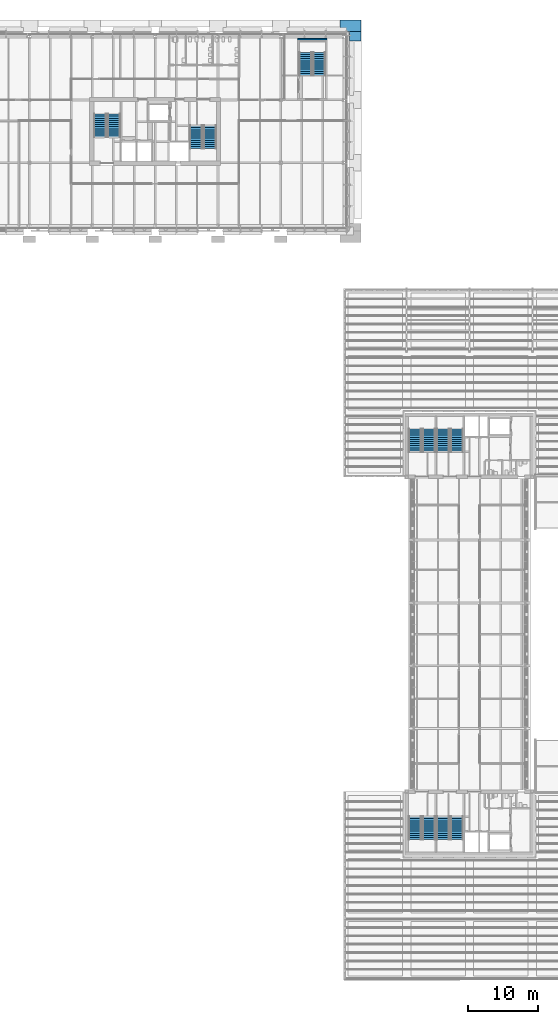
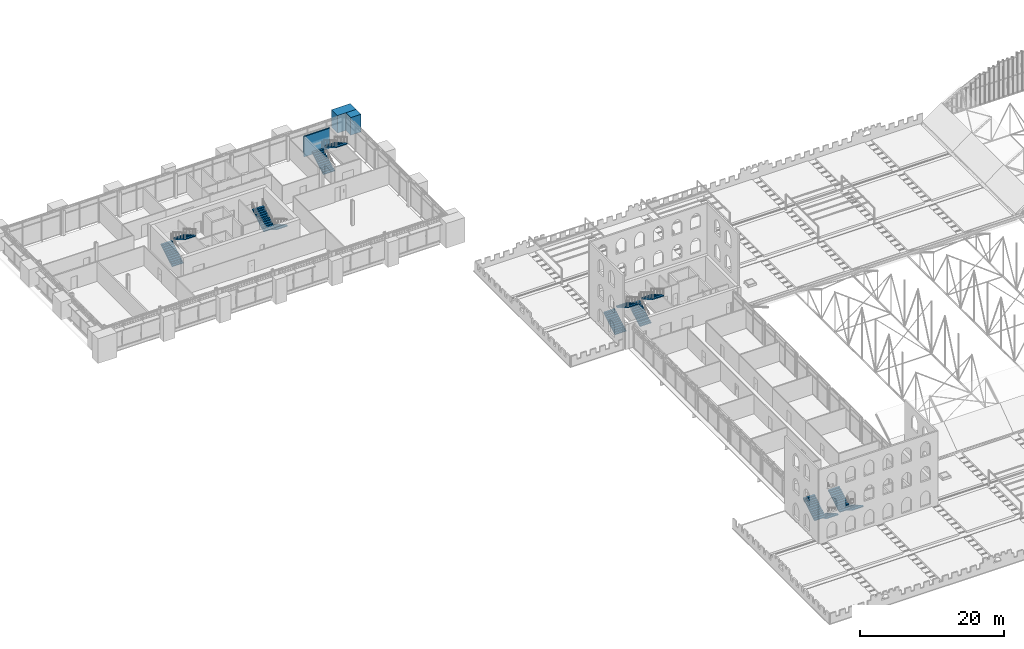
# One storey, part 114 of 153: 14 stair flights, 3 walls, 7 elements without a shape of their own.
"""IFC4 building model written with IfcOpenShell, lengths in metres."""

from ifc_helpers import new_model, si_unit, direction, frame, frame_2d, origin, place, context, subcontext, project, spatial, polyline, rectangle, outline, extrude, material, layer, layer_set, type_object, element, aggregate, save


model = new_model("IFC4")

# Units and contexts
model_context = context("Model", 3, precision=1e-05, world=origin(), true_north=direction((0.0, 1.0)))
body_context = subcontext(model_context, "Body", "Model", "MODEL_VIEW")
ifc_project = project(units=[si_unit("LENGTHUNIT", "METRE"), si_unit("AREAUNIT", "SQUARE_METRE"), si_unit("VOLUMEUNIT", "CUBIC_METRE"), si_unit("PLANEANGLEUNIT", "RADIAN"), si_unit("MASSUNIT", "GRAM", prefix="KILO")], contexts=[model_context])

# Site, building, storey
site_placement = place(None, origin())
site = spatial("IfcSite", under=ifc_project, at=site_placement, CompositionType="ELEMENT")
building_placement = place(site_placement, origin())
building = spatial("IfcBuilding", under=site, at=building_placement, Name="Baradari Gate Terminus", CompositionType="ELEMENT")
storey_placement = place(building_placement, frame((0.0, 0.0, 11.699951171875)))
storey = spatial("IfcBuildingStorey", under=building, at=storey_placement, Name="L02", CompositionType="ELEMENT", Elevation=11.699951171875)

# Walls
ifc_material_1 = material(Name="Concrete C40/50 precast", Category="concrete")
ifc_layer_1 = layer(ifc_material_1, 1.55)
ifc_material_2 = material(Name="Sandstone cladding", Category="masonry")
ifc_layer_2 = layer(ifc_material_2, 0.1)
ifc_layer_set_1 = layer_set([ifc_layer_1, ifc_layer_2], Name="Concrete C40/50 precast")
wall_type_1 = type_object("IfcWallType", Name="Sandstone-faced precast frame pier WQ-4 1650", PredefinedType="SOLIDWALL", material=ifc_layer_set_1)
wall_1_placement = place(storey_placement, frame((62.445068359375, 145.6201171875, 1.199951171875), z_axis=(0.0, 0.0, 1.0), x_axis=(1.0, 0.0, 0.0)))
element("IfcWall", 1, at=wall_1_placement, inside=storey, type_object=wall_type_1, Name="Corner pilaster NE leg A L02", PredefinedType="SOLIDWALL", context=body_context, shape_type="SweptSolid", body=[
    extrude(rectangle(XDim=3.0, YDim=1.64990234375, at=frame_2d((1.5, 0.0))), origin(), (0.0, 0.0, 1.0), 3.0),
])
wall_2_placement = place(storey_placement, frame((64.6201171875, 143.445068359375, 1.199951171875), z_axis=(0.0, 0.0, 1.0), x_axis=(0.0, 1.0, 0.0)))
element("IfcWall", 2, at=wall_2_placement, inside=storey, type_object=wall_type_1, Name="Corner pilaster NE leg B L02", PredefinedType="SOLIDWALL", context=body_context, shape_type="SweptSolid", body=[
    extrude(rectangle(XDim=1.349853515625, YDim=1.64990234375, at=frame_2d((0.6748046875, 0.0))), origin(), (0.0, 0.0, 1.0), 3.0),
])
ifc_material_3 = material(Name="Concrete C40/50", Category="concrete")
ifc_layer_3 = layer(ifc_material_3, 0.199951171875)
ifc_layer_set_2 = layer_set([ifc_layer_3], Name="Concrete C40/50")
wall_type_2 = type_object("IfcWallType", Name="Stair enclosure wall SE-2 200 EI 120", PredefinedType="SOLIDWALL", material=ifc_layer_set_2)
wall_3_placement = place(storey_placement, frame((56.39990234375, 143.699951171875, 0.0), z_axis=(0.0, 0.0, 1.0), x_axis=(1.0, 0.0, 0.0)))
element("IfcWall", 3, at=wall_3_placement, inside=storey, type_object=wall_type_2, Name="Stair enclosure wall SE-2 ST-T3 L02 N", PredefinedType="SOLIDWALL", context=body_context, shape_type="SweptSolid", body=[
    extrude(rectangle(XDim=4.2001953125, YDim=0.199951171875, at=frame_2d((2.10009765625, 0.0))), origin(), (0.0, 0.0, 1.0), 3.45703125),
])

# Stair, stair flights
ifc_material_4 = material(Name="Concrete C32/40", Category="concrete")
stair_type_1 = type_object("IfcStairType", Name="Exit stair ST-GN1 riser 175 x 1800", PredefinedType="HALF_TURN_STAIR", material=ifc_material_4)
stair_1_placement = place(storey_placement, origin())
stair_1 = element("IfcStair", 4, at=stair_1_placement, inside=storey, type_object=stair_type_1, Name="Stair ST-GN1 L02 to L03", PredefinedType="HALF_TURN_STAIR")
ifc_material_5 = material(Name="Concrete C32/40", Category="concrete")
stair_flight_type = type_object("IfcStairFlightType", Name="Stair flight 175/300 x 1800", PredefinedType="STRAIGHT", material=ifc_material_5)
stair_flight_1_placement = place(storey_placement, frame((73.199951171875, 84.60009765625, 0.0), z_axis=(0.0, 0.0, 1.0), x_axis=(0.0, 1.0, 0.0)))
stair_flight_1 = element("IfcStairFlight", 5, at=stair_flight_1_placement, type_object=stair_flight_type, Name="ST-GN1 flight 1", NumberOfRisers=12, NumberOfTreads=11, PredefinedType="STRAIGHT", RiserHeight=0.175, TreadLength=0.3, context=body_context, shape_type="SweptSolid", body=[
    extrude(outline(polyline([(0.0, 0.0), (0.0, 0.175048828125), (0.300048828125, 0.175048828125), (0.300048828125, 0.35009765625), (0.60009765625, 0.35009765625), (0.60009765625, 0.52490234375), (0.89990234375, 0.52490234375), (0.89990234375, 0.699951171875), (1.199951171875, 0.699951171875), (1.199951171875, 0.875), (1.5, 0.875), (1.5, 1.050048828125), (1.800048828125, 1.050048828125), (1.800048828125, 1.22509765625), (2.10009765625, 1.22509765625), (2.10009765625, 1.39990234375), (2.39990234375, 1.39990234375), (2.39990234375, 1.574951171875), (2.699951171875, 1.574951171875), (2.699951171875, 1.75), (3.0, 1.75), (3.0, 1.925048828125), (3.300048828125, 1.925048828125), (3.300048828125, 2.10009765625), (3.300048828125, 1.75146484375), (0.297607421875, 0.0), (0.0, 0.0)])), frame((0.0, 0.89990234375, 0.0), z_axis=(0.0, -1.0, 0.0), x_axis=(1.0, 0.0, 0.0)), (0.0, 0.0, 1.0), 1.800048828125),
])
stair_flight_2_placement = place(storey_placement, frame((75.199951171875, 87.89990234375, 2.10009765625), z_axis=(0.0, 0.0, 1.0), x_axis=(0.0, -1.0, 0.0)))
stair_flight_2 = element("IfcStairFlight", 6, at=stair_flight_2_placement, type_object=stair_flight_type, Name="ST-GN1 flight 2", NumberOfRisers=12, NumberOfTreads=11, PredefinedType="STRAIGHT", RiserHeight=0.175, TreadLength=0.3, context=body_context, shape_type="SweptSolid", body=[
    extrude(outline(polyline([(0.0, 0.0), (0.0, 0.175048828125), (0.300048828125, 0.175048828125), (0.300048828125, 0.35009765625), (0.60009765625, 0.35009765625), (0.60009765625, 0.52490234375), (0.89990234375, 0.52490234375), (0.89990234375, 0.699951171875), (1.199951171875, 0.699951171875), (1.199951171875, 0.875), (1.5, 0.875), (1.5, 1.050048828125), (1.800048828125, 1.050048828125), (1.800048828125, 1.22509765625), (2.10009765625, 1.22509765625), (2.10009765625, 1.39990234375), (2.39990234375, 1.39990234375), (2.39990234375, 1.574951171875), (2.699951171875, 1.574951171875), (2.699951171875, 1.75), (3.0, 1.75), (3.0, 1.925048828125), (3.300048828125, 1.925048828125), (3.300048828125, 2.10009765625), (3.300048828125, 1.75146484375), (0.297607421875, 0.0), (0.0, 0.0)])), frame((0.0, 0.89990234375, 0.0), z_axis=(0.0, -1.0, 0.0), x_axis=(1.0, 0.0, 0.0)), (0.0, 0.0, 1.0), 1.800048828125),
])
aggregate(stair_1, [stair_flight_1, stair_flight_2])

ifc_material_6 = material(Name="Concrete C32/40", Category="concrete")
stair_type_2 = type_object("IfcStairType", Name="Exit stair ST-GN2 riser 175 x 1800", PredefinedType="HALF_TURN_STAIR", material=ifc_material_6)
stair_2_placement = place(storey_placement, origin())
stair_2 = element("IfcStair", 7, at=stair_2_placement, inside=storey, type_object=stair_type_2, Name="Stair ST-GN2 L02 to L03", PredefinedType="HALF_TURN_STAIR")
stair_flight_3_placement = place(storey_placement, frame((77.199951171875, 84.60009765625, 0.0), z_axis=(0.0, 0.0, 1.0), x_axis=(0.0, 1.0, 0.0)))
stair_flight_3 = element("IfcStairFlight", 8, at=stair_flight_3_placement, type_object=stair_flight_type, Name="ST-GN2 flight 1", NumberOfRisers=12, NumberOfTreads=11, PredefinedType="STRAIGHT", RiserHeight=0.175, TreadLength=0.3, context=body_context, shape_type="SweptSolid", body=[
    extrude(outline(polyline([(0.0, 0.0), (0.0, 0.175048828125), (0.300048828125, 0.175048828125), (0.300048828125, 0.35009765625), (0.60009765625, 0.35009765625), (0.60009765625, 0.52490234375), (0.89990234375, 0.52490234375), (0.89990234375, 0.699951171875), (1.199951171875, 0.699951171875), (1.199951171875, 0.875), (1.5, 0.875), (1.5, 1.050048828125), (1.800048828125, 1.050048828125), (1.800048828125, 1.22509765625), (2.10009765625, 1.22509765625), (2.10009765625, 1.39990234375), (2.39990234375, 1.39990234375), (2.39990234375, 1.574951171875), (2.699951171875, 1.574951171875), (2.699951171875, 1.75), (3.0, 1.75), (3.0, 1.925048828125), (3.300048828125, 1.925048828125), (3.300048828125, 2.10009765625), (3.300048828125, 1.75146484375), (0.297607421875, 0.0), (0.0, 0.0)])), frame((0.0, 0.89990234375, 0.0), z_axis=(0.0, -1.0, 0.0), x_axis=(1.0, 0.0, 0.0)), (0.0, 0.0, 1.0), 1.800048828125),
])
stair_flight_4_placement = place(storey_placement, frame((79.199951171875, 87.89990234375, 2.10009765625), z_axis=(0.0, 0.0, 1.0), x_axis=(0.0, -1.0, 0.0)))
stair_flight_4 = element("IfcStairFlight", 9, at=stair_flight_4_placement, type_object=stair_flight_type, Name="ST-GN2 flight 2", NumberOfRisers=12, NumberOfTreads=11, PredefinedType="STRAIGHT", RiserHeight=0.175, TreadLength=0.3, context=body_context, shape_type="SweptSolid", body=[
    extrude(outline(polyline([(0.0, 0.0), (0.0, 0.175048828125), (0.300048828125, 0.175048828125), (0.300048828125, 0.35009765625), (0.60009765625, 0.35009765625), (0.60009765625, 0.52490234375), (0.89990234375, 0.52490234375), (0.89990234375, 0.699951171875), (1.199951171875, 0.699951171875), (1.199951171875, 0.875), (1.5, 0.875), (1.5, 1.050048828125), (1.800048828125, 1.050048828125), (1.800048828125, 1.22509765625), (2.10009765625, 1.22509765625), (2.10009765625, 1.39990234375), (2.39990234375, 1.39990234375), (2.39990234375, 1.574951171875), (2.699951171875, 1.574951171875), (2.699951171875, 1.75), (3.0, 1.75), (3.0, 1.925048828125), (3.300048828125, 1.925048828125), (3.300048828125, 2.10009765625), (3.300048828125, 1.75146484375), (0.297607421875, 0.0), (0.0, 0.0)])), frame((0.0, 0.89990234375, 0.0), z_axis=(0.0, -1.0, 0.0), x_axis=(1.0, 0.0, 0.0)), (0.0, 0.0, 1.0), 1.800048828125),
])
aggregate(stair_2, [stair_flight_3, stair_flight_4])

ifc_material_7 = material(Name="Concrete C32/40", Category="concrete")
stair_type_3 = type_object("IfcStairType", Name="Exit stair ST-GS1 riser 175 x 1800", PredefinedType="HALF_TURN_STAIR", material=ifc_material_7)
stair_3_placement = place(storey_placement, origin())
stair_3 = element("IfcStair", 10, at=stair_3_placement, inside=storey, type_object=stair_type_3, Name="Stair ST-GS1 L02 to L03", PredefinedType="HALF_TURN_STAIR")
stair_flight_5_placement = place(storey_placement, frame((75.199951171875, 32.39990234375, 0.0), z_axis=(0.0, 0.0, 1.0), x_axis=(0.0, -1.0, 0.0)))
stair_flight_5 = element("IfcStairFlight", 11, at=stair_flight_5_placement, type_object=stair_flight_type, Name="ST-GS1 flight 1", NumberOfRisers=12, NumberOfTreads=11, PredefinedType="STRAIGHT", RiserHeight=0.175, TreadLength=0.3, context=body_context, shape_type="SweptSolid", body=[
    extrude(outline(polyline([(0.0, 0.0), (0.0, 0.175048828125), (0.300048828125, 0.175048828125), (0.300048828125, 0.35009765625), (0.60009765625, 0.35009765625), (0.60009765625, 0.52490234375), (0.89990234375, 0.52490234375), (0.89990234375, 0.699951171875), (1.199951171875, 0.699951171875), (1.199951171875, 0.875), (1.5, 0.875), (1.5, 1.050048828125), (1.800048828125, 1.050048828125), (1.800048828125, 1.22509765625), (2.10009765625, 1.22509765625), (2.10009765625, 1.39990234375), (2.39990234375, 1.39990234375), (2.39990234375, 1.574951171875), (2.699951171875, 1.574951171875), (2.699951171875, 1.75), (3.0, 1.75), (3.0, 1.925048828125), (3.300048828125, 1.925048828125), (3.300048828125, 2.10009765625), (3.300048828125, 1.75146484375), (0.297607421875, 0.0), (0.0, 0.0)])), frame((0.0, 0.89990234375, 0.0), z_axis=(0.0, -1.0, 0.0), x_axis=(1.0, 0.0, 0.0)), (0.0, 0.0, 1.0), 1.800048828125),
])
stair_flight_6_placement = place(storey_placement, frame((73.199951171875, 29.10009765625, 2.10009765625), z_axis=(0.0, 0.0, 1.0), x_axis=(0.0, 1.0, 0.0)))
stair_flight_6 = element("IfcStairFlight", 12, at=stair_flight_6_placement, type_object=stair_flight_type, Name="ST-GS1 flight 2", NumberOfRisers=12, NumberOfTreads=11, PredefinedType="STRAIGHT", RiserHeight=0.175, TreadLength=0.3, context=body_context, shape_type="SweptSolid", body=[
    extrude(outline(polyline([(0.0, 0.0), (0.0, 0.175048828125), (0.300048828125, 0.175048828125), (0.300048828125, 0.35009765625), (0.60009765625, 0.35009765625), (0.60009765625, 0.52490234375), (0.89990234375, 0.52490234375), (0.89990234375, 0.699951171875), (1.199951171875, 0.699951171875), (1.199951171875, 0.875), (1.5, 0.875), (1.5, 1.050048828125), (1.800048828125, 1.050048828125), (1.800048828125, 1.22509765625), (2.10009765625, 1.22509765625), (2.10009765625, 1.39990234375), (2.39990234375, 1.39990234375), (2.39990234375, 1.574951171875), (2.699951171875, 1.574951171875), (2.699951171875, 1.75), (3.0, 1.75), (3.0, 1.925048828125), (3.300048828125, 1.925048828125), (3.300048828125, 2.10009765625), (3.300048828125, 1.75146484375), (0.297607421875, 0.0), (0.0, 0.0)])), frame((0.0, 0.89990234375, 0.0), z_axis=(0.0, -1.0, 0.0), x_axis=(1.0, 0.0, 0.0)), (0.0, 0.0, 1.0), 1.800048828125),
])
aggregate(stair_3, [stair_flight_5, stair_flight_6])

ifc_material_8 = material(Name="Concrete C32/40", Category="concrete")
stair_type_4 = type_object("IfcStairType", Name="Exit stair ST-GS2 riser 175 x 1800", PredefinedType="HALF_TURN_STAIR", material=ifc_material_8)
stair_4_placement = place(storey_placement, origin())
stair_4 = element("IfcStair", 13, at=stair_4_placement, inside=storey, type_object=stair_type_4, Name="Stair ST-GS2 L02 to L03", PredefinedType="HALF_TURN_STAIR")
stair_flight_7_placement = place(storey_placement, frame((79.199951171875, 32.39990234375, 0.0), z_axis=(0.0, 0.0, 1.0), x_axis=(0.0, -1.0, 0.0)))
stair_flight_7 = element("IfcStairFlight", 14, at=stair_flight_7_placement, type_object=stair_flight_type, Name="ST-GS2 flight 1", NumberOfRisers=12, NumberOfTreads=11, PredefinedType="STRAIGHT", RiserHeight=0.175, TreadLength=0.3, context=body_context, shape_type="SweptSolid", body=[
    extrude(outline(polyline([(0.0, 0.0), (0.0, 0.175048828125), (0.300048828125, 0.175048828125), (0.300048828125, 0.35009765625), (0.60009765625, 0.35009765625), (0.60009765625, 0.52490234375), (0.89990234375, 0.52490234375), (0.89990234375, 0.699951171875), (1.199951171875, 0.699951171875), (1.199951171875, 0.875), (1.5, 0.875), (1.5, 1.050048828125), (1.800048828125, 1.050048828125), (1.800048828125, 1.22509765625), (2.10009765625, 1.22509765625), (2.10009765625, 1.39990234375), (2.39990234375, 1.39990234375), (2.39990234375, 1.574951171875), (2.699951171875, 1.574951171875), (2.699951171875, 1.75), (3.0, 1.75), (3.0, 1.925048828125), (3.300048828125, 1.925048828125), (3.300048828125, 2.10009765625), (3.300048828125, 1.75146484375), (0.297607421875, 0.0), (0.0, 0.0)])), frame((0.0, 0.89990234375, 0.0), z_axis=(0.0, -1.0, 0.0), x_axis=(1.0, 0.0, 0.0)), (0.0, 0.0, 1.0), 1.800048828125),
])
stair_flight_8_placement = place(storey_placement, frame((77.199951171875, 29.10009765625, 2.10009765625), z_axis=(0.0, 0.0, 1.0), x_axis=(0.0, 1.0, 0.0)))
stair_flight_8 = element("IfcStairFlight", 15, at=stair_flight_8_placement, type_object=stair_flight_type, Name="ST-GS2 flight 2", NumberOfRisers=12, NumberOfTreads=11, PredefinedType="STRAIGHT", RiserHeight=0.175, TreadLength=0.3, context=body_context, shape_type="SweptSolid", body=[
    extrude(outline(polyline([(0.0, 0.0), (0.0, 0.175048828125), (0.300048828125, 0.175048828125), (0.300048828125, 0.35009765625), (0.60009765625, 0.35009765625), (0.60009765625, 0.52490234375), (0.89990234375, 0.52490234375), (0.89990234375, 0.699951171875), (1.199951171875, 0.699951171875), (1.199951171875, 0.875), (1.5, 0.875), (1.5, 1.050048828125), (1.800048828125, 1.050048828125), (1.800048828125, 1.22509765625), (2.10009765625, 1.22509765625), (2.10009765625, 1.39990234375), (2.39990234375, 1.39990234375), (2.39990234375, 1.574951171875), (2.699951171875, 1.574951171875), (2.699951171875, 1.75), (3.0, 1.75), (3.0, 1.925048828125), (3.300048828125, 1.925048828125), (3.300048828125, 2.10009765625), (3.300048828125, 1.75146484375), (0.297607421875, 0.0), (0.0, 0.0)])), frame((0.0, 0.89990234375, 0.0), z_axis=(0.0, -1.0, 0.0), x_axis=(1.0, 0.0, 0.0)), (0.0, 0.0, 1.0), 1.800048828125),
])
aggregate(stair_4, [stair_flight_7, stair_flight_8])

ifc_material_9 = material(Name="Concrete C32/40", Category="concrete")
stair_type_5 = type_object("IfcStairType", Name="Exit stair ST-T1 riser 175 x 1800", PredefinedType="HALF_TURN_STAIR", material=ifc_material_9)
stair_5_placement = place(storey_placement, origin())
stair_5 = element("IfcStair", 16, at=stair_5_placement, inside=storey, type_object=stair_type_5, Name="Stair ST-T1 L02 to L03", PredefinedType="HALF_TURN_STAIR")
stair_flight_9_placement = place(storey_placement, frame((28.125, 129.675048828125, 0.0), z_axis=(0.0, 0.0, 1.0), x_axis=(0.0, 1.0, 0.0)))
stair_flight_9 = element("IfcStairFlight", 17, at=stair_flight_9_placement, type_object=stair_flight_type, Name="ST-T1 flight 1", NumberOfRisers=12, NumberOfTreads=11, PredefinedType="STRAIGHT", RiserHeight=0.175, TreadLength=0.3, context=body_context, shape_type="SweptSolid", body=[
    extrude(outline(polyline([(0.0, 0.0), (0.0, 0.175048828125), (0.300048828125, 0.175048828125), (0.300048828125, 0.35009765625), (0.60009765625, 0.35009765625), (0.60009765625, 0.52490234375), (0.89990234375, 0.52490234375), (0.89990234375, 0.699951171875), (1.199951171875, 0.699951171875), (1.199951171875, 0.875), (1.5, 0.875), (1.5, 1.050048828125), (1.800048828125, 1.050048828125), (1.800048828125, 1.22509765625), (2.10009765625, 1.22509765625), (2.10009765625, 1.39990234375), (2.39990234375, 1.39990234375), (2.39990234375, 1.574951171875), (2.699951171875, 1.574951171875), (2.699951171875, 1.75), (3.0, 1.75), (3.0, 1.925048828125), (3.300048828125, 1.925048828125), (3.300048828125, 2.10009765625), (3.300048828125, 1.75146484375), (0.297607421875, 0.0), (0.0, 0.0)])), frame((0.0, 0.89990234375, 0.0), z_axis=(0.0, -1.0, 0.0), x_axis=(1.0, 0.0, 0.0)), (0.0, 0.0, 1.0), 1.800048828125),
])
stair_flight_10_placement = place(storey_placement, frame((30.125, 132.97509765625, 2.10009765625), z_axis=(0.0, 0.0, 1.0), x_axis=(0.0, -1.0, 0.0)))
stair_flight_10 = element("IfcStairFlight", 18, at=stair_flight_10_placement, type_object=stair_flight_type, Name="ST-T1 flight 2", NumberOfRisers=12, NumberOfTreads=11, PredefinedType="STRAIGHT", RiserHeight=0.175, TreadLength=0.3, context=body_context, shape_type="SweptSolid", body=[
    extrude(outline(polyline([(0.0, 0.0), (0.0, 0.175048828125), (0.300048828125, 0.175048828125), (0.300048828125, 0.35009765625), (0.60009765625, 0.35009765625), (0.60009765625, 0.52490234375), (0.89990234375, 0.52490234375), (0.89990234375, 0.699951171875), (1.199951171875, 0.699951171875), (1.199951171875, 0.875), (1.5, 0.875), (1.5, 1.050048828125), (1.800048828125, 1.050048828125), (1.800048828125, 1.22509765625), (2.10009765625, 1.22509765625), (2.10009765625, 1.39990234375), (2.39990234375, 1.39990234375), (2.39990234375, 1.574951171875), (2.699951171875, 1.574951171875), (2.699951171875, 1.75), (3.0, 1.75), (3.0, 1.925048828125), (3.300048828125, 1.925048828125), (3.300048828125, 2.10009765625), (3.300048828125, 1.75146484375), (0.297607421875, 0.0), (0.0, 0.0)])), frame((0.0, 0.89990234375, 0.0), z_axis=(0.0, -1.0, 0.0), x_axis=(1.0, 0.0, 0.0)), (0.0, 0.0, 1.0), 1.800048828125),
])
aggregate(stair_5, [stair_flight_9, stair_flight_10])

ifc_material_10 = material(Name="Concrete C32/40", Category="concrete")
stair_type_6 = type_object("IfcStairType", Name="Exit stair ST-T2 riser 175 x 1800", PredefinedType="HALF_TURN_STAIR", material=ifc_material_10)
stair_6_placement = place(storey_placement, origin())
stair_6 = element("IfcStair", 19, at=stair_6_placement, inside=storey, type_object=stair_type_6, Name="Stair ST-T2 L02 to L03", PredefinedType="HALF_TURN_STAIR")
stair_flight_11_placement = place(storey_placement, frame((43.875, 131.324951171875, 0.0), z_axis=(0.0, 0.0, 1.0), x_axis=(0.0, -1.0, 0.0)))
stair_flight_11 = element("IfcStairFlight", 20, at=stair_flight_11_placement, type_object=stair_flight_type, Name="ST-T2 flight 1", NumberOfRisers=12, NumberOfTreads=11, PredefinedType="STRAIGHT", RiserHeight=0.175, TreadLength=0.3, context=body_context, shape_type="SweptSolid", body=[
    extrude(outline(polyline([(0.0, 0.0), (0.0, 0.175048828125), (0.300048828125, 0.175048828125), (0.300048828125, 0.35009765625), (0.60009765625, 0.35009765625), (0.60009765625, 0.52490234375), (0.89990234375, 0.52490234375), (0.89990234375, 0.699951171875), (1.199951171875, 0.699951171875), (1.199951171875, 0.875), (1.5, 0.875), (1.5, 1.050048828125), (1.800048828125, 1.050048828125), (1.800048828125, 1.22509765625), (2.10009765625, 1.22509765625), (2.10009765625, 1.39990234375), (2.39990234375, 1.39990234375), (2.39990234375, 1.574951171875), (2.699951171875, 1.574951171875), (2.699951171875, 1.75), (3.0, 1.75), (3.0, 1.925048828125), (3.300048828125, 1.925048828125), (3.300048828125, 2.10009765625), (3.300048828125, 1.75146484375), (0.297607421875, 0.0), (0.0, 0.0)])), frame((0.0, 0.89990234375, 0.0), z_axis=(0.0, -1.0, 0.0), x_axis=(1.0, 0.0, 0.0)), (0.0, 0.0, 1.0), 1.800048828125),
])
stair_flight_12_placement = place(storey_placement, frame((41.875, 128.02490234375, 2.10009765625), z_axis=(0.0, 0.0, 1.0), x_axis=(0.0, 1.0, 0.0)))
stair_flight_12 = element("IfcStairFlight", 21, at=stair_flight_12_placement, type_object=stair_flight_type, Name="ST-T2 flight 2", NumberOfRisers=12, NumberOfTreads=11, PredefinedType="STRAIGHT", RiserHeight=0.175, TreadLength=0.3, context=body_context, shape_type="SweptSolid", body=[
    extrude(outline(polyline([(0.0, 0.0), (0.0, 0.175048828125), (0.300048828125, 0.175048828125), (0.300048828125, 0.35009765625), (0.60009765625, 0.35009765625), (0.60009765625, 0.52490234375), (0.89990234375, 0.52490234375), (0.89990234375, 0.699951171875), (1.199951171875, 0.699951171875), (1.199951171875, 0.875), (1.5, 0.875), (1.5, 1.050048828125), (1.800048828125, 1.050048828125), (1.800048828125, 1.22509765625), (2.10009765625, 1.22509765625), (2.10009765625, 1.39990234375), (2.39990234375, 1.39990234375), (2.39990234375, 1.574951171875), (2.699951171875, 1.574951171875), (2.699951171875, 1.75), (3.0, 1.75), (3.0, 1.925048828125), (3.300048828125, 1.925048828125), (3.300048828125, 2.10009765625), (3.300048828125, 1.75146484375), (0.297607421875, 0.0), (0.0, 0.0)])), frame((0.0, 0.89990234375, 0.0), z_axis=(0.0, -1.0, 0.0), x_axis=(1.0, 0.0, 0.0)), (0.0, 0.0, 1.0), 1.800048828125),
])
aggregate(stair_6, [stair_flight_11, stair_flight_12])

ifc_material_11 = material(Name="Concrete C32/40", Category="concrete")
stair_type_7 = type_object("IfcStairType", Name="Exit stair ST-T3 riser 175 x 1800", PredefinedType="HALF_TURN_STAIR", material=ifc_material_11)
stair_7_placement = place(storey_placement, origin())
stair_7 = element("IfcStair", 22, at=stair_7_placement, inside=storey, type_object=stair_type_7, Name="Stair ST-T3 L02 to L03", PredefinedType="HALF_TURN_STAIR")
stair_flight_13_placement = place(storey_placement, frame((57.5, 138.5, 0.0), z_axis=(0.0, 0.0, 1.0), x_axis=(0.0, 1.0, 0.0)))
stair_flight_13 = element("IfcStairFlight", 23, at=stair_flight_13_placement, type_object=stair_flight_type, Name="ST-T3 flight 1", NumberOfRisers=12, NumberOfTreads=11, PredefinedType="STRAIGHT", RiserHeight=0.175, TreadLength=0.3, context=body_context, shape_type="SweptSolid", body=[
    extrude(outline(polyline([(0.0, 0.0), (0.0, 0.175048828125), (0.300048828125, 0.175048828125), (0.300048828125, 0.35009765625), (0.60009765625, 0.35009765625), (0.60009765625, 0.52490234375), (0.89990234375, 0.52490234375), (0.89990234375, 0.699951171875), (1.199951171875, 0.699951171875), (1.199951171875, 0.875), (1.5, 0.875), (1.5, 1.050048828125), (1.800048828125, 1.050048828125), (1.800048828125, 1.22509765625), (2.10009765625, 1.22509765625), (2.10009765625, 1.39990234375), (2.39990234375, 1.39990234375), (2.39990234375, 1.574951171875), (2.699951171875, 1.574951171875), (2.699951171875, 1.75), (3.0, 1.75), (3.0, 1.925048828125), (3.300048828125, 1.925048828125), (3.300048828125, 2.10009765625), (3.300048828125, 1.75146484375), (0.297607421875, 0.0), (0.0, 0.0)])), frame((0.0, 0.89990234375, 0.0), z_axis=(0.0, -1.0, 0.0), x_axis=(1.0, 0.0, 0.0)), (0.0, 0.0, 1.0), 1.800048828125),
])
stair_flight_14_placement = place(storey_placement, frame((59.5, 141.800048828125, 2.10009765625), z_axis=(0.0, 0.0, 1.0), x_axis=(0.0, -1.0, 0.0)))
stair_flight_14 = element("IfcStairFlight", 24, at=stair_flight_14_placement, type_object=stair_flight_type, Name="ST-T3 flight 2", NumberOfRisers=12, NumberOfTreads=11, PredefinedType="STRAIGHT", RiserHeight=0.175, TreadLength=0.3, context=body_context, shape_type="SweptSolid", body=[
    extrude(outline(polyline([(0.0, 0.0), (0.0, 0.175048828125), (0.300048828125, 0.175048828125), (0.300048828125, 0.35009765625), (0.60009765625, 0.35009765625), (0.60009765625, 0.52490234375), (0.89990234375, 0.52490234375), (0.89990234375, 0.699951171875), (1.199951171875, 0.699951171875), (1.199951171875, 0.875), (1.5, 0.875), (1.5, 1.050048828125), (1.800048828125, 1.050048828125), (1.800048828125, 1.22509765625), (2.10009765625, 1.22509765625), (2.10009765625, 1.39990234375), (2.39990234375, 1.39990234375), (2.39990234375, 1.574951171875), (2.699951171875, 1.574951171875), (2.699951171875, 1.75), (3.0, 1.75), (3.0, 1.925048828125), (3.300048828125, 1.925048828125), (3.300048828125, 2.10009765625), (3.300048828125, 1.75146484375), (0.297607421875, 0.0), (0.0, 0.0)])), frame((0.0, 0.89990234375, 0.0), z_axis=(0.0, -1.0, 0.0), x_axis=(1.0, 0.0, 0.0)), (0.0, 0.0, 1.0), 1.800048828125),
])
aggregate(stair_7, [stair_flight_13, stair_flight_14])

save(model, "model.ifc")
